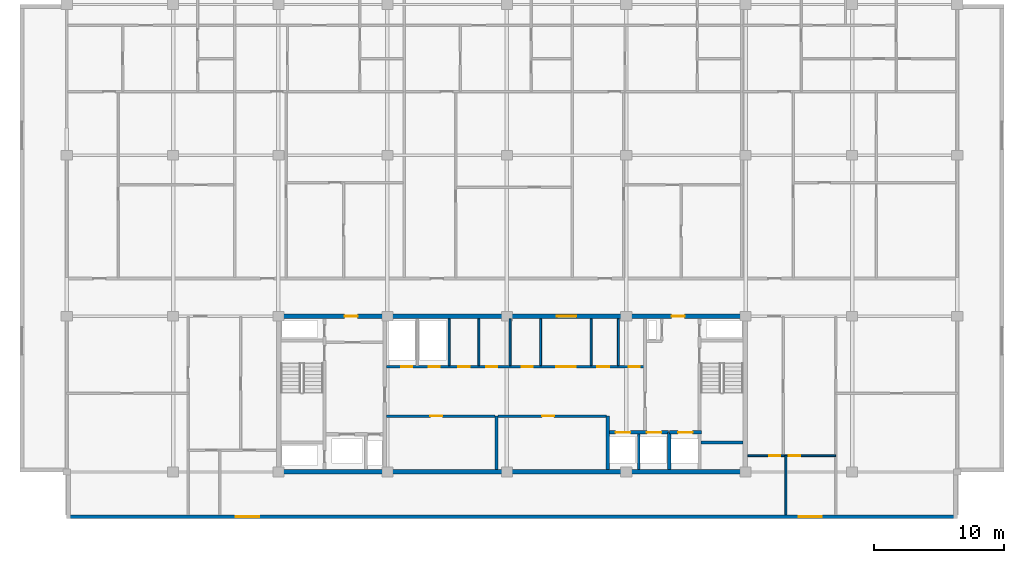
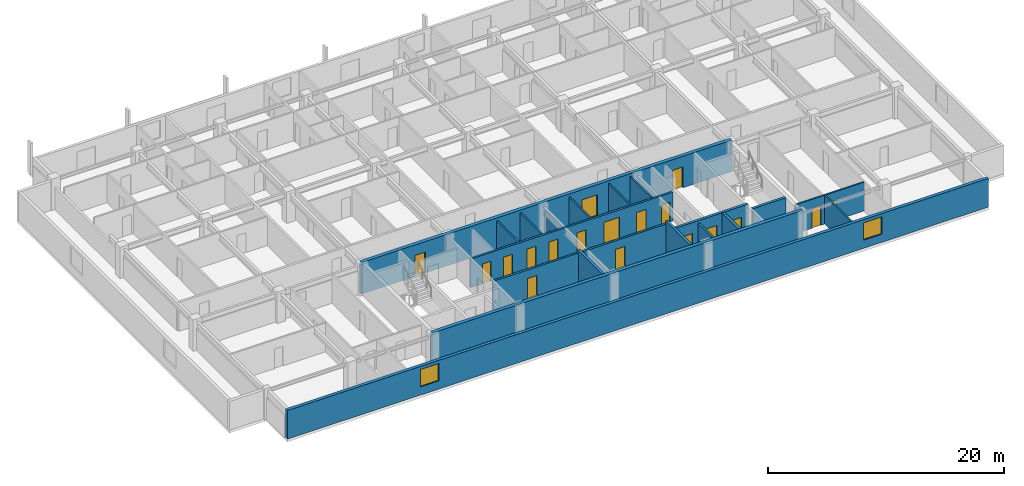
# One storey, part 5 of 11: 21 walls, 18 doors, 2 windows, 20 openings.
"""IFC4 building model written with IfcOpenShell, lengths in metres."""

import ifcopenshell
import ifcopenshell.guid

model = None  # the IFC model being written
_history = None  # IfcOwnerHistory: only IFC2X3 demands one
_inside = {}  # id of a spatial element -> (the spatial element, [elements in it])
_under = {}  # id of a project, library or spatial element -> (it, [spatial elements below it])
_declared = {}  # id of a project -> (the project, [libraries it declares])
_typed = {}  # id of a type object -> (the type object, [elements of that type])
_made_of = {}  # id of a material, layer set ... -> (it, [elements and type objects made of it])


def new_model(schema):
    """Start an empty IFC model of exactly this schema.

    Asked for "IFC4X3", IfcOpenShell would pick the latest addendum, in which some entities
    have other attributes; the version numbers below select the first issue.
    IFC2X3 requires an IfcOwnerHistory on every rooted entity: one is made here for all.
    """
    global model, _history
    if schema == "IFC4X3":
        model = ifcopenshell.file(schema_version=(4, 3, 0, 0))
    else:
        model = ifcopenshell.file(schema=schema)
    _inside.clear()
    _under.clear()
    _declared.clear()
    _typed.clear()
    _made_of.clear()
    _history = None
    if model.schema == "IFC2X3":
        org = make("IfcOrganization", Name="unknown")
        user = make(
            "IfcPersonAndOrganization",
            ThePerson=make("IfcPerson", FamilyName="unknown"),
            TheOrganization=org,
        )
        app = make(
            "IfcApplication",
            ApplicationDeveloper=org,
            Version="unknown",
            ApplicationFullName="unknown",
            ApplicationIdentifier="unknown",
        )
        _history = make(
            "IfcOwnerHistory",
            OwningUser=user,
            OwningApplication=app,
            ChangeAction="ADDED",
            CreationDate=0,
        )
    return model


def make(cls, **values):
    """One entity of the class cls with the attributes given. An attribute that is None is left unset."""
    return model.create_entity(
        cls, **{name: value for name, value in values.items() if value is not None}
    )


def rooted(cls, **values):
    """An entity with a GlobalId (a new one), such as an element, a storey or a relation."""
    return make(cls, GlobalId=ifcopenshell.guid.new(), OwnerHistory=_history, **values)


def si_unit(unit_type, name, prefix=None):
    """IfcSIUnit, for example si_unit("LENGTHUNIT", "METRE", prefix="MILLI")."""
    return make("IfcSIUnit", UnitType=unit_type, Prefix=prefix, Name=name)


def assignment(units):
    """IfcUnitAssignment: the units of a project."""
    return None if units is None else make("IfcUnitAssignment", Units=units)


def point(xyz):
    """IfcCartesianPoint."""
    return None if xyz is None else make("IfcCartesianPoint", Coordinates=xyz)


def direction(xyz):
    """IfcDirection."""
    return None if xyz is None else make("IfcDirection", DirectionRatios=xyz)


def frame(location, z_axis=None, x_axis=None):
    """IfcAxis2Placement3D, a coordinate frame: its origin and axes. An axis left out is left unset."""
    return make(
        "IfcAxis2Placement3D",
        Location=point(location),
        Axis=direction(z_axis),
        RefDirection=direction(x_axis),
    )


def frame_2d(location, x_axis=None):
    """IfcAxis2Placement2D, a coordinate frame in the plane: its origin and x axis."""
    return make(
        "IfcAxis2Placement2D", Location=point(location), RefDirection=direction(x_axis)
    )


def origin():
    """The frame at (0, 0, 0) with its axes left unset."""
    return frame((0.0, 0.0, 0.0))


def place(relative_to, where):
    """IfcLocalPlacement: puts the frame where relative to a parent placement (None: the world)."""
    return make(
        "IfcLocalPlacement", PlacementRelTo=relative_to, RelativePlacement=where
    )


def context(
    kind, dimensions, precision=None, world=None, true_north=None, identifier=None
):
    """IfcGeometricRepresentationContext, for example the 3D "Model" context."""
    return make(
        "IfcGeometricRepresentationContext",
        ContextIdentifier=identifier,
        ContextType=kind,
        CoordinateSpaceDimension=dimensions,
        Precision=precision,
        WorldCoordinateSystem=world,
        TrueNorth=true_north,
    )


def subcontext(parent, identifier, kind, view, scale=None):
    """IfcGeometricRepresentationSubContext, for example "Body" below "Model"."""
    return make(
        "IfcGeometricRepresentationSubContext",
        ContextIdentifier=identifier,
        ContextType=kind,
        ParentContext=parent,
        TargetScale=scale,
        TargetView=view,
    )


def project(units=None, contexts=None):
    """IfcProject with its units and contexts."""
    return rooted(
        "IfcProject",
        Name="project",
        RepresentationContexts=contexts,
        UnitsInContext=assignment(units),
    )


def spatial(cls, under=None, at=None, **own):
    """A site, building, storey or space (cls), placed at a placement, below another one or the project."""
    s = rooted(cls, ObjectPlacement=at, **own)
    if under is not None:
        _under.setdefault(under.id(), (under, []))[1].append(s)
    return s


def profile(cls, at=None, kind="AREA", **sizes):
    """A parametric profile (cls). Its sizes go by their IFC names, for example OverallWidth=200.0."""
    return make(cls, ProfileType=kind, Position=at, **sizes)


def rectangle(**sizes):
    """IfcRectangleProfileDef."""
    return profile("IfcRectangleProfileDef", **sizes)


def extrude(swept, where, along, depth):
    """IfcExtrudedAreaSolid: the profile swept, set in the frame where, extruded along a direction by depth."""
    return make(
        "IfcExtrudedAreaSolid",
        SweptArea=swept,
        Position=where,
        ExtrudedDirection=direction(along),
        Depth=depth,
    )


def shape(context_of_items, identifier, shape_type, items):
    """IfcShapeRepresentation: the items that make up one representation, for example the "Body"."""
    return make(
        "IfcShapeRepresentation",
        ContextOfItems=context_of_items,
        RepresentationIdentifier=identifier,
        RepresentationType=shape_type,
        Items=items,
    )


def material(Name=None, Category=None):
    """IfcMaterial."""
    return make("IfcMaterial", Name=Name, Category=Category)


def layer(
    of_material, thickness, ventilated=None, Name=None, Category=None, Priority=None
):
    """IfcMaterialLayer: one layer of a wall or slab, of a material (None: an air gap)."""
    return make(
        "IfcMaterialLayer",
        Material=of_material,
        LayerThickness=thickness,
        IsVentilated=ventilated,
        Name=Name,
        Category=Category,
        Priority=Priority,
    )


def layer_set(layers, Name=None):
    """IfcMaterialLayerSet."""
    return make("IfcMaterialLayerSet", MaterialLayers=layers, LayerSetName=Name)


def made_of(thing, what):
    """Note that an element or type object is made of a material, layer set ...; save() writes the relation."""
    if what is not None:
        _made_of.setdefault(what.id(), (what, []))[1].append(thing)
    return thing


def type_object(cls, material=None, **own):
    """A type object (cls), such as IfcWallType, which elements share."""
    return made_of(rooted(cls, **own), material)


def element(
    cls,
    number,
    at=None,
    inside=None,
    cuts=None,
    type_object=None,
    material=None,
    context=None,
    identifier="Body",
    shape_type=None,
    held_by="IfcProductDefinitionShape",
    body=None,
    shapes=None,
    **own,
):
    """One element of the class cls, such as IfcWall. Its Tag is "e" and its number.

    at: its placement. inside: the storey or other place that contains it. cuts: it is an
    opening in that element (IfcRelVoidsElement). A single representation is given by context,
    identifier, shape_type and body (its items); several are given by shapes. held_by: the class
    of the entity that holds the representations. save() writes the other relations.
    """
    e = rooted(cls, Tag="e%d" % number, ObjectPlacement=at, **own)
    if body is not None:
        shapes = [shape(context, identifier, shape_type, body)]
    if shapes is not None:
        e.Representation = make(held_by, Representations=shapes)
    if inside is not None:
        _inside.setdefault(inside.id(), (inside, []))[1].append(e)
    if cuts is not None:
        rooted(
            "IfcRelVoidsElement", RelatingBuildingElement=cuts, RelatedOpeningElement=e
        )
    if type_object is not None:
        _typed.setdefault(type_object.id(), (type_object, []))[1].append(e)
    return made_of(e, material)


def fill(opening, filler):
    """IfcRelFillsElement: the door or window that sits in an opening."""
    return rooted(
        "IfcRelFillsElement",
        RelatingOpeningElement=opening,
        RelatedBuildingElement=filler,
    )


def aggregate(whole, parts):
    """IfcRelAggregates: a whole, such as a stair, and the parts it consists of."""
    return rooted("IfcRelAggregates", RelatingObject=whole, RelatedObjects=parts)


def save(model, path):
    """Write the relations noted so far, then the file.

    IfcRelAggregates (storeys below a building ...), IfcRelContainedInSpatialStructure (elements
    in a storey), IfcRelDefinesByType, IfcRelAssociatesMaterial and IfcRelDeclares: one each for
    every whole, place, type object, material and project.
    """
    for whole, parts in _under.values():
        aggregate(whole, parts)
    for where, things in _inside.values():
        rooted(
            "IfcRelContainedInSpatialStructure",
            RelatedElements=things,
            RelatingStructure=where,
        )
    for kind, things in _typed.values():
        rooted("IfcRelDefinesByType", RelatedObjects=things, RelatingType=kind)
    for what, things in _made_of.values():
        rooted("IfcRelAssociatesMaterial", RelatedObjects=things, RelatingMaterial=what)
    for by, libraries in _declared.values():
        rooted("IfcRelDeclares", RelatingContext=by, RelatedDefinitions=libraries)
    model.write(path)


model = new_model("IFC4")

# Units and contexts
model_context = context("Model", 3, precision=1e-05, world=origin(), true_north=direction((0.0, 1.0)))
body_context = subcontext(model_context, "Body", "Model", "MODEL_VIEW")
ifc_project = project(units=[si_unit("LENGTHUNIT", "METRE"), si_unit("AREAUNIT", "SQUARE_METRE"), si_unit("VOLUMEUNIT", "CUBIC_METRE"), si_unit("PLANEANGLEUNIT", "RADIAN"), si_unit("MASSUNIT", "GRAM", prefix="KILO")], contexts=[model_context])

# Site, building, storey
site_placement = place(None, origin())
site = spatial("IfcSite", under=ifc_project, at=site_placement, CompositionType="ELEMENT")
building_placement = place(site_placement, origin())
building = spatial("IfcBuilding", under=site, at=building_placement, Name="Korimba Cascade Residences", CompositionType="ELEMENT")
storey_placement = place(building_placement, frame((0.0, 0.0, 210.85009765625)))
storey = spatial("IfcBuildingStorey", under=building, at=storey_placement, Name="L61", CompositionType="ELEMENT", Elevation=210.85009765625)

# Wall, openings, windows
ifc_material_1 = material(Name="Precast concrete C40/50", Category="concrete")
ifc_layer_1 = layer(ifc_material_1, 0.300048828125)
ifc_layer_set_1 = layer_set([ifc_layer_1], Name="Precast concrete C40/50")
wall_type_1 = type_object("IfcWallType", Name="EW-STONE-300", PredefinedType="STANDARD", material=ifc_layer_set_1)
wall_1_placement = place(storey_placement, frame((59.800048828125, 51.75, 0.0), z_axis=(0.0, 0.0, 1.0), x_axis=(1.0, 0.0, 0.0)))
wall_1 = element("IfcWall", 1, at=wall_1_placement, inside=storey, type_object=wall_type_1, Name="L61 T1 Perimeter Stone Wall E00", PredefinedType="STANDARD", context=body_context, shape_type="SweptSolid", body=[
    extrude(rectangle(XDim=68.599853515625, YDim=0.300048828125, at=frame_2d((34.2998046875, 0.0))), origin(), (0.0, 0.0, 1.0), 2.969970703125),
])
opening_1_placement = place(wall_1_placement, frame((13.02490234375, 0.0, 0.85009765625)))
opening_1 = element("IfcOpeningElement", 2, at=opening_1_placement, cuts=wall_1, Name="Opening W-02", PredefinedType="OPENING", context=body_context, shape_type="SweptSolid", body=[
    extrude(rectangle(XDim=1.800048828125, YDim=1.800048828125, at=frame_2d((0.89990234375, 0.89990234375))), frame((0.0, 0.16015625, 0.0), z_axis=(0.0, -1.0, 0.0), x_axis=(1.0, 0.0, 0.0)), (0.0, 0.0, 1.0), 0.320068359375),
])
opening_2_placement = place(wall_1_placement, frame((56.375, 0.0, 0.85009765625)))
opening_2 = element("IfcOpeningElement", 3, at=opening_2_placement, cuts=wall_1, Name="Opening W-02", PredefinedType="OPENING", context=body_context, shape_type="SweptSolid", body=[
    extrude(rectangle(XDim=1.800048828125, YDim=1.800048828125, at=frame_2d((0.89990234375, 0.89990234375))), frame((0.0, 0.16015625, 0.0), z_axis=(0.0, -1.0, 0.0), x_axis=(1.0, 0.0, 0.0)), (0.0, 0.0, 1.0), 0.320068359375),
])
ifc_material_2 = material(Name="Double-Glazed Aluminium Window", Category="aluminium")
window_type = type_object("IfcWindowType", Name="WIN-BED-1800", PartitioningType="SINGLE_PANEL", PredefinedType="WINDOW", material=ifc_material_2)
window_1_placement = place(opening_1_placement, origin())
window_1 = element("IfcWindow", 4, at=window_1_placement, inside=storey, type_object=window_type, Name="L61 T1 South Corner Bedroom Window 1", OverallHeight=1.800048828125, OverallWidth=1.800048828125, PartitioningType="SINGLE_PANEL", PredefinedType="WINDOW", context=body_context, shape_type="SweptSolid", body=[
    extrude(rectangle(XDim=1.800048828125, YDim=1.800048828125, at=frame_2d((0.89990234375, 0.89990234375))), frame((0.0, 0.030029296875, 0.0), z_axis=(0.0, -1.0, 0.0), x_axis=(1.0, 0.0, 0.0)), (0.0, 0.0, 1.0), 0.06005859375),
])
fill(opening_1, window_1)
window_2_placement = place(opening_2_placement, origin())
window_2 = element("IfcWindow", 5, at=window_2_placement, inside=storey, type_object=window_type, Name="L61 T1 South Corner Bedroom Window 2", OverallHeight=1.800048828125, OverallWidth=1.800048828125, PartitioningType="SINGLE_PANEL", PredefinedType="WINDOW", context=body_context, shape_type="SweptSolid", body=[
    extrude(rectangle(XDim=1.800048828125, YDim=1.800048828125, at=frame_2d((0.89990234375, 0.89990234375))), frame((0.0, 0.030029296875, 0.0), z_axis=(0.0, -1.0, 0.0), x_axis=(1.0, 0.0, 0.0)), (0.0, 0.0, 1.0), 0.06005859375),
])
fill(opening_2, window_2)

# Wall
ifc_material_3 = material(Name="Concrete C65/80", Category="concrete")
ifc_layer_2 = layer(ifc_material_3, 0.35009765625)
ifc_layer_set_2 = layer_set([ifc_layer_2], Name="Concrete C65/80")
wall_type_2 = type_object("IfcWallType", Name="WAL-CORE-350", PredefinedType="SHEAR", material=ifc_layer_set_2)
wall_2_placement = place(storey_placement, frame((75.949951171875, 55.199951171875, 0.0), z_axis=(0.0, 0.0, 1.0), x_axis=(1.0, 0.0, 0.0)))
element("IfcWall", 6, at=wall_2_placement, inside=storey, type_object=wall_type_2, Name="L61 Core Shear Wall CW-L61-T1-S", PredefinedType="SHEAR", context=body_context, shape_type="SweptSolid", body=[
    extrude(rectangle(XDim=36.300048828125, YDim=0.35009765625, at=frame_2d((18.14990234375, 0.0))), origin(), (0.0, 0.0, 1.0), 3.25),
])

# Wall, openings, doors
wall_3_placement = place(storey_placement, frame((75.949951171875, 67.199951171875, 0.0), z_axis=(0.0, 0.0, 1.0), x_axis=(1.0, 0.0, 0.0)))
wall_3 = element("IfcWall", 7, at=wall_3_placement, inside=storey, type_object=wall_type_2, Name="L61 Core Shear Wall CW-L61-T1-N", PredefinedType="SHEAR", context=body_context, shape_type="SweptSolid", body=[
    extrude(rectangle(XDim=36.300048828125, YDim=0.35009765625, at=frame_2d((18.14990234375, 0.0))), origin(), (0.0, 0.0, 1.0), 3.25),
])
opening_3_placement = place(wall_3_placement, frame((5.25, 0.0, 0.0)))
opening_3 = element("IfcOpeningElement", 8, at=opening_3_placement, cuts=wall_3, Name="Opening D-FD5", PredefinedType="OPENING", context=body_context, shape_type="SweptSolid", body=[
    extrude(rectangle(XDim=1.0, YDim=2.14990234375, at=frame_2d((0.5, 1.074951171875))), frame((0.0, 0.18505859375, 0.0), z_axis=(0.0, -1.0, 0.0), x_axis=(1.0, 0.0, 0.0)), (0.0, 0.0, 1.0), 0.3701171875),
])
opening_4_placement = place(wall_3_placement, frame((21.60009765625, 0.0, 0.0)))
opening_4 = element("IfcOpeningElement", 9, at=opening_4_placement, cuts=wall_3, Name="Opening D-FD8", PredefinedType="OPENING", context=body_context, shape_type="SweptSolid", body=[
    extrude(rectangle(XDim=1.5, YDim=2.199951171875, at=frame_2d((0.75, 1.10009765625))), frame((0.0, 0.18505859375, 0.0), z_axis=(0.0, -1.0, 0.0), x_axis=(1.0, 0.0, 0.0)), (0.0, 0.0, 1.0), 0.3701171875),
])
opening_5_placement = place(wall_3_placement, frame((30.449951171875, 0.0, 0.0)))
opening_5 = element("IfcOpeningElement", 10, at=opening_5_placement, cuts=wall_3, Name="Opening D-FD5", PredefinedType="OPENING", context=body_context, shape_type="SweptSolid", body=[
    extrude(rectangle(XDim=1.0, YDim=2.14990234375, at=frame_2d((0.5, 1.074951171875))), frame((0.0, 0.18505859375, 0.0), z_axis=(0.0, -1.0, 0.0), x_axis=(1.0, 0.0, 0.0)), (0.0, 0.0, 1.0), 0.3701171875),
])
ifc_material_4 = material(Name="Fire-Rated Acoustic Timber Vestibule Door", Category="wood")
door_type_1 = type_object("IfcDoorType", Name="DR-FD90-1000", OperationType="NOTDEFINED", PredefinedType="DOOR", material=ifc_material_4)
door_1_placement = place(opening_3_placement, origin())
door_1 = element("IfcDoor", 11, at=door_1_placement, inside=storey, type_object=door_type_1, Name="L61 T1 West Core Vestibule Fire Door", OperationType="SINGLE_SWING_LEFT", OverallHeight=2.14990234375, OverallWidth=1.0, PredefinedType="DOOR", context=body_context, shape_type="SweptSolid", body=[
    extrude(rectangle(XDim=1.0, YDim=2.14990234375, at=frame_2d((0.5, 1.074951171875))), frame((0.0, 0.02490234375, 0.0), z_axis=(0.0, -1.0, 0.0), x_axis=(1.0, 0.0, 0.0)), (0.0, 0.0, 1.0), 0.050048828125),
])
fill(opening_3, door_1)
door_2_placement = place(opening_5_placement, origin())
door_2 = element("IfcDoor", 12, at=door_2_placement, inside=storey, type_object=door_type_1, Name="L61 T1 East Firefighting Vestibule Fire Door", OperationType="SINGLE_SWING_RIGHT", OverallHeight=2.14990234375, OverallWidth=1.0, PredefinedType="DOOR", context=body_context, shape_type="SweptSolid", body=[
    extrude(rectangle(XDim=1.0, YDim=2.14990234375, at=frame_2d((0.5, 1.074951171875))), frame((0.0, 0.02490234375, 0.0), z_axis=(0.0, -1.0, 0.0), x_axis=(1.0, 0.0, 0.0)), (0.0, 0.0, 1.0), 0.050048828125),
])
fill(opening_5, door_2)
ifc_material_5 = material(Name="Fire-Rated Glazed Lift Lobby Double Door", Category="glass")
door_type_2 = type_object("IfcDoorType", Name="DR-FD90-1500", OperationType="NOTDEFINED", PredefinedType="DOOR", material=ifc_material_5)
door_3_placement = place(opening_4_placement, origin())
door_3 = element("IfcDoor", 13, at=door_3_placement, inside=storey, type_object=door_type_2, Name="L61 T1 Lift Lobby Fire Door", OperationType="DOUBLE_DOOR_SINGLE_SWING", OverallHeight=2.199951171875, OverallWidth=1.5, PredefinedType="DOOR", context=body_context, shape_type="SweptSolid", body=[
    extrude(rectangle(XDim=1.5, YDim=2.199951171875, at=frame_2d((0.75, 1.10009765625))), frame((0.0, 0.02490234375, 0.0), z_axis=(0.0, -1.0, 0.0), x_axis=(1.0, 0.0, 0.0)), (0.0, 0.0, 1.0), 0.050048828125),
])
fill(opening_4, door_3)

# Walls
ifc_material_6 = material(Name="Insulated Acoustic Stud Partition", Category="gypsum")
ifc_layer_3 = layer(ifc_material_6, 0.14990234375)
ifc_layer_set_3 = layer_set([ifc_layer_3], Name="Insulated Acoustic Stud Partition")
wall_type_3 = type_object("IfcWallType", Name="WAL-PART-150", PredefinedType="PARTITIONING", material=ifc_layer_set_3)
for number, where, z_axis, x_axis, name in (
    (14, (89.25, 63.39990234375, 0.0), (0.0, 0.0, 1.0), (0.0, 1.0, 0.0), "L61 Partition Wall CW-L61-T1-PRDIV"),
    (15, (91.550048828125, 63.39990234375, 0.0), (0.0, 0.0, 1.0), (0.0, 1.0, 0.0), "L61 Partition Wall CW-L61-T1-CA1W1"),
):
    element("IfcWall", number, at=place(storey_placement, frame(where, z_axis=z_axis, x_axis=x_axis)), inside=storey, type_object=wall_type_3, Name=name, PredefinedType="PARTITIONING", context=body_context, shape_type="SweptSolid", body=[
        extrude(rectangle(XDim=3.60009765625, YDim=0.14990234375, at=frame_2d((1.800048828125, 0.0))), origin(), (0.0, 0.0, 1.0), 2.969970703125),
    ])
wall_4_placement = place(storey_placement, frame((93.949951171875, 63.39990234375, 0.0), z_axis=(0.0, 0.0, 1.0), x_axis=(0.0, 1.0, 0.0)))
element("IfcWall", 16, at=wall_4_placement, inside=storey, type_object=wall_type_3, Name="L61 Partition Wall CW-L61-T1-CA1W2", PredefinedType="PARTITIONING", context=body_context, shape_type="SweptSolid", body=[
    extrude(rectangle(XDim=3.60009765625, YDim=0.14990234375, at=frame_2d((1.800048828125, 0.0))), origin(), (0.0, 0.0, 1.0), 2.277099609375),
])
for number, where, z_axis, x_axis, name in (
    (17, (102.300048828125, 63.39990234375, 0.0), (0.0, 0.0, 1.0), (0.0, 1.0, 0.0), "L61 Partition Wall CW-L61-T1-CA1E1"),
    (18, (96.300048828125, 63.39990234375, 0.0), (0.0, 0.0, 1.0), (0.0, 1.0, 0.0), "L61 Partition Wall CW-L61-T1-THW"),
    (19, (100.199951171875, 63.39990234375, 0.0), (0.0, 0.0, 1.0), (0.0, 1.0, 0.0), "L61 Partition Wall CW-L61-T1-THE"),
):
    element("IfcWall", number, at=place(storey_placement, frame(where, z_axis=z_axis, x_axis=x_axis)), inside=storey, type_object=wall_type_3, Name=name, PredefinedType="PARTITIONING", context=body_context, shape_type="SweptSolid", body=[
        extrude(rectangle(XDim=3.60009765625, YDim=0.14990234375, at=frame_2d((1.800048828125, 0.0))), origin(), (0.0, 0.0, 1.0), 2.969970703125),
    ])
wall_5_placement = place(storey_placement, frame((115.199951171875, 51.89990234375, 0.0), z_axis=(0.0, 0.0, 1.0), x_axis=(0.0, 1.0, 0.0)))
element("IfcWall", 20, at=wall_5_placement, inside=storey, type_object=wall_type_3, Name="L61 Partition Wall WAL-L61-T1-FE-VS", PredefinedType="PARTITIONING", context=body_context, shape_type="SweptSolid", body=[
    extrude(rectangle(XDim=4.550048828125, YDim=0.14990234375, at=frame_2d((2.27490234375, 0.0))), origin(), (0.0, 0.0, 1.0), 2.969970703125),
])

# Wall, openings, doors
wall_6_placement = place(storey_placement, frame((112.27001953125, 56.449951171875, 0.0), z_axis=(0.0, 0.0, 1.0), x_axis=(1.0, 0.0, 0.0)))
wall_6 = element("IfcWall", 21, at=wall_6_placement, inside=storey, type_object=wall_type_3, Name="L61 Partition Wall WAL-L61-T1-FE-H", PredefinedType="PARTITIONING", context=body_context, shape_type="SweptSolid", body=[
    extrude(rectangle(XDim=6.760009765625, YDim=0.14990234375, at=frame_2d((3.3798828125, 0.0))), origin(), (0.0, 0.0, 1.0), 2.969970703125),
])
opening_6_placement = place(wall_6_placement, frame((1.6396484375, 0.0, 0.0)))
opening_6 = element("IfcOpeningElement", 22, at=opening_6_placement, cuts=wall_6, Name="Opening D-BT1", PredefinedType="OPENING", context=body_context, shape_type="SweptSolid", body=[
    extrude(rectangle(XDim=0.840087890625, YDim=2.0400390625, at=frame_2d((0.419921875, 1.02001953125))), frame((0.0, 0.0849609375, 0.0), z_axis=(0.0, -1.0, 0.0), x_axis=(1.0, 0.0, 0.0)), (0.0, 0.0, 1.0), 0.169921875),
])
opening_7_placement = place(wall_6_placement, frame((3.160400390625, 0.0, 0.0)))
opening_7 = element("IfcOpeningElement", 23, at=opening_7_placement, cuts=wall_6, Name="Opening D-IN2", PredefinedType="OPENING", context=body_context, shape_type="SweptSolid", body=[
    extrude(rectangle(XDim=0.8798828125, YDim=2.06005859375, at=frame_2d((0.43994140625, 1.030029296875))), frame((0.0, 0.0849609375, 0.0), z_axis=(0.0, -1.0, 0.0), x_axis=(1.0, 0.0, 0.0)), (0.0, 0.0, 1.0), 0.169921875),
])
ifc_material_7 = material(Name="Moisture-Resistant Bathroom Timber Door", Category="wood")
door_type_3 = type_object("IfcDoorType", Name="DR-INT-850", OperationType="NOTDEFINED", PredefinedType="DOOR", material=ifc_material_7)
door_4_placement = place(opening_6_placement, origin())
door_4 = element("IfcDoor", 24, at=door_4_placement, inside=storey, type_object=door_type_3, Name="L61-T1-FE Bathroom Door", OperationType="SINGLE_SWING_LEFT", OverallHeight=2.0400390625, OverallWidth=0.840087890625, PredefinedType="DOOR", context=body_context, shape_type="SweptSolid", body=[
    extrude(rectangle(XDim=0.840087890625, YDim=2.0400390625, at=frame_2d((0.419921875, 1.02001953125))), frame((0.0, 0.02490234375, 0.0), z_axis=(0.0, -1.0, 0.0), x_axis=(1.0, 0.0, 0.0)), (0.0, 0.0, 1.0), 0.050048828125),
])
fill(opening_6, door_4)
ifc_material_8 = material(Name="Acoustic Timber Bedroom Door", Category="wood")
door_type_4 = type_object("IfcDoorType", Name="DR-INT-880", OperationType="NOTDEFINED", PredefinedType="DOOR", material=ifc_material_8)
door_5_placement = place(opening_7_placement, origin())
door_5 = element("IfcDoor", 25, at=door_5_placement, inside=storey, type_object=door_type_4, Name="L61-T1-FE Bedroom Door", OperationType="SINGLE_SWING_RIGHT", OverallHeight=2.06005859375, OverallWidth=0.8798828125, PredefinedType="DOOR", context=body_context, shape_type="SweptSolid", body=[
    extrude(rectangle(XDim=0.8798828125, YDim=2.06005859375, at=frame_2d((0.43994140625, 1.030029296875))), frame((0.0, 0.02490234375, 0.0), z_axis=(0.0, -1.0, 0.0), x_axis=(1.0, 0.0, 0.0)), (0.0, 0.0, 1.0), 0.050048828125),
])
fill(opening_7, door_5)

# Wall, opening, door
ifc_material_9 = material(Name="Concrete C40/50", Category="concrete")
ifc_layer_4 = layer(ifc_material_9, 0.199951171875)
ifc_layer_set_4 = layer_set([ifc_layer_4], Name="Concrete C40/50")
wall_type_4 = type_object("IfcWallType", Name="WAL-PART-200", PredefinedType="PARTITIONING", material=ifc_layer_set_4)
wall_7_placement = place(storey_placement, frame((84.419921875, 59.5, 0.0), z_axis=(0.0, 0.0, 1.0), x_axis=(1.0, 0.0, 0.0)))
wall_7 = element("IfcWall", 26, at=wall_7_placement, inside=storey, type_object=wall_type_4, Name="L61 Partition Wall CW-L61-T1-B1RN", PredefinedType="PARTITIONING", context=body_context, shape_type="SweptSolid", body=[
    extrude(rectangle(XDim=8.360107421875, YDim=0.199951171875, at=frame_2d((4.18017578125, 0.0))), origin(), (0.0, 0.0, 1.0), 2.969970703125),
])
opening_8_placement = place(wall_7_placement, frame((3.39990234375, 0.0, 0.0)))
opening_8 = element("IfcOpeningElement", 27, at=opening_8_placement, cuts=wall_7, Name="Opening D-ST1", PredefinedType="OPENING", context=body_context, shape_type="SweptSolid", body=[
    extrude(rectangle(XDim=0.919921875, YDim=2.080078125, at=frame_2d((0.4599609375, 1.0400390625))), frame((0.0, 0.10986328125, 0.0), z_axis=(0.0, -1.0, 0.0), x_axis=(1.0, 0.0, 0.0)), (0.0, 0.0, 1.0), 0.219970703125),
])
ifc_material_10 = material(Name="Fire-Rated Core Store Door", Category="wood")
door_type_5 = type_object("IfcDoorType", Name="DR-FD60-920", OperationType="NOTDEFINED", PredefinedType="DOOR", material=ifc_material_10)
door_6_placement = place(opening_8_placement, origin())
door_6 = element("IfcDoor", 28, at=door_6_placement, inside=storey, type_object=door_type_5, Name="L61 Resident Storage Door", OperationType="SINGLE_SWING_LEFT", OverallHeight=2.080078125, OverallWidth=0.919921875, PredefinedType="DOOR", context=body_context, shape_type="SweptSolid", body=[
    extrude(rectangle(XDim=0.919921875, YDim=2.080078125, at=frame_2d((0.4599609375, 1.0400390625))), frame((0.0, 0.02490234375, 0.0), z_axis=(0.0, -1.0, 0.0), x_axis=(1.0, 0.0, 0.0)), (0.0, 0.0, 1.0), 0.050048828125),
])
fill(opening_8, door_6)

wall_8_placement = place(storey_placement, frame((93.02001953125, 59.5, 0.0), z_axis=(0.0, 0.0, 1.0), x_axis=(1.0, 0.0, 0.0)))
wall_8 = element("IfcWall", 29, at=wall_8_placement, inside=storey, type_object=wall_type_4, Name="L61 Partition Wall CW-L61-T1-B2RN", PredefinedType="PARTITIONING", context=body_context, shape_type="SweptSolid", body=[
    extrude(rectangle(XDim=8.35986328125, YDim=0.199951171875, at=frame_2d((4.179931640625, 0.0))), origin(), (0.0, 0.0, 1.0), 2.969970703125),
])
opening_9_placement = place(wall_8_placement, frame((3.39990234375, 0.0, 0.0)))
opening_9 = element("IfcOpeningElement", 30, at=opening_9_placement, cuts=wall_8, Name="Opening D-ST1", PredefinedType="OPENING", context=body_context, shape_type="SweptSolid", body=[
    extrude(rectangle(XDim=0.919921875, YDim=2.080078125, at=frame_2d((0.4599609375, 1.0400390625))), frame((0.0, 0.10986328125, 0.0), z_axis=(0.0, -1.0, 0.0), x_axis=(1.0, 0.0, 0.0)), (0.0, 0.0, 1.0), 0.219970703125),
])
door_7_placement = place(opening_9_placement, origin())
door_7 = element("IfcDoor", 31, at=door_7_placement, inside=storey, type_object=door_type_5, Name="L61 Wine Cellar Store Door", OperationType="SINGLE_SWING_RIGHT", OverallHeight=2.080078125, OverallWidth=0.919921875, PredefinedType="DOOR", context=body_context, shape_type="SweptSolid", body=[
    extrude(rectangle(XDim=0.919921875, YDim=2.080078125, at=frame_2d((0.4599609375, 1.0400390625))), frame((0.0, 0.02490234375, 0.0), z_axis=(0.0, -1.0, 0.0), x_axis=(1.0, 0.0, 0.0)), (0.0, 0.0, 1.0), 0.050048828125),
])
fill(opening_9, door_7)

# Wall
wall_9_placement = place(storey_placement, frame((103.85009765625, 55.39990234375, 0.0), z_axis=(0.0, 0.0, 1.0), x_axis=(0.0, 1.0, 0.0)))
element("IfcWall", 32, at=wall_9_placement, inside=storey, type_object=wall_type_4, Name="L61 Partition Wall CW-L61-T1-B3D1", PredefinedType="PARTITIONING", context=body_context, shape_type="SweptSolid", body=[
    extrude(rectangle(XDim=2.72021484375, YDim=0.199951171875, at=frame_2d((1.360107421875, 0.0))), origin(), (0.0, 0.0, 1.0), 2.969970703125),
])

# Wall, openings, doors
wall_10_placement = place(storey_placement, frame((84.419921875, 63.300048828125, 0.0), z_axis=(0.0, 0.0, 1.0), x_axis=(1.0, 0.0, 0.0)))
wall_10 = element("IfcWall", 33, at=wall_10_placement, inside=storey, type_object=wall_type_4, Name="L61 Partition Wall CW-L61-T1-SRVROW", PredefinedType="PARTITIONING", context=body_context, shape_type="SweptSolid", body=[
    extrude(rectangle(XDim=19.830078125, YDim=0.199951171875, at=frame_2d((9.9150390625, 0.0))), origin(), (0.0, 0.0, 1.0), 2.969970703125),
])
opening_10_placement = place(wall_10_placement, frame((1.14990234375, 0.0, 0.0)))
opening_10 = element("IfcOpeningElement", 34, at=opening_10_placement, cuts=wall_10, Name="Opening D-RS1", PredefinedType="OPENING", context=body_context, shape_type="SweptSolid", body=[
    extrude(rectangle(XDim=0.85009765625, YDim=2.050048828125, at=frame_2d((0.425048828125, 1.02490234375))), frame((0.0, 0.10986328125, 0.0), z_axis=(0.0, -1.0, 0.0), x_axis=(1.0, 0.0, 0.0)), (0.0, 0.0, 1.0), 0.219970703125),
])
opening_11_placement = place(wall_10_placement, frame((3.25, 0.0, 0.0)))
opening_11 = element("IfcOpeningElement", 35, at=opening_11_placement, cuts=wall_10, Name="Opening D-RS1", PredefinedType="OPENING", context=body_context, shape_type="SweptSolid", body=[
    extrude(rectangle(XDim=0.85009765625, YDim=2.050048828125, at=frame_2d((0.425048828125, 1.02490234375))), frame((0.0, 0.10986328125, 0.0), z_axis=(0.0, -1.0, 0.0), x_axis=(1.0, 0.0, 0.0)), (0.0, 0.0, 1.0), 0.219970703125),
])
opening_12_placement = place(wall_10_placement, frame((13.080078125, 0.0, 0.0)))
opening_12 = element("IfcOpeningElement", 36, at=opening_12_placement, cuts=wall_10, Name="Opening D-FD8", PredefinedType="OPENING", context=body_context, shape_type="SweptSolid", body=[
    extrude(rectangle(XDim=1.5, YDim=2.199951171875, at=frame_2d((0.75, 1.10009765625))), frame((0.0, 0.10986328125, 0.0), z_axis=(0.0, -1.0, 0.0), x_axis=(1.0, 0.0, 0.0)), (0.0, 0.0, 1.0), 0.219970703125),
])
opening_13_placement = place(wall_10_placement, frame((5.530029296875, 0.0, 0.0)))
opening_13 = element("IfcOpeningElement", 37, at=opening_13_placement, cuts=wall_10, Name="Opening D-IN2", PredefinedType="OPENING", context=body_context, shape_type="SweptSolid", body=[
    extrude(rectangle(XDim=0.8798828125, YDim=2.06005859375, at=frame_2d((0.43994140625, 1.030029296875))), frame((0.0, 0.10986328125, 0.0), z_axis=(0.0, -1.0, 0.0), x_axis=(1.0, 0.0, 0.0)), (0.0, 0.0, 1.0), 0.219970703125),
])
opening_14_placement = place(wall_10_placement, frame((7.679931640625, 0.0, 0.0)))
opening_14 = element("IfcOpeningElement", 38, at=opening_14_placement, cuts=wall_10, Name="Opening D-IN2", PredefinedType="OPENING", context=body_context, shape_type="SweptSolid", body=[
    extrude(rectangle(XDim=0.8798828125, YDim=2.06005859375, at=frame_2d((0.43994140625, 1.030029296875))), frame((0.0, 0.10986328125, 0.0), z_axis=(0.0, -1.0, 0.0), x_axis=(1.0, 0.0, 0.0)), (0.0, 0.0, 1.0), 0.219970703125),
])
opening_15_placement = place(wall_10_placement, frame((10.429931640625, 0.0, 0.0)))
opening_15 = element("IfcOpeningElement", 39, at=opening_15_placement, cuts=wall_10, Name="Opening D-RS1", PredefinedType="OPENING", context=body_context, shape_type="SweptSolid", body=[
    extrude(rectangle(XDim=0.85009765625, YDim=2.050048828125, at=frame_2d((0.425048828125, 1.02490234375))), frame((0.0, 0.10986328125, 0.0), z_axis=(0.0, -1.0, 0.0), x_axis=(1.0, 0.0, 0.0)), (0.0, 0.0, 1.0), 0.219970703125),
])
opening_16_placement = place(wall_10_placement, frame((16.22998046875, 0.0, 0.0)))
opening_16 = element("IfcOpeningElement", 40, at=opening_16_placement, cuts=wall_10, Name="Opening D-AC1", PredefinedType="OPENING", context=body_context, shape_type="SweptSolid", body=[
    extrude(rectangle(XDim=0.9599609375, YDim=2.10009765625, at=frame_2d((0.47998046875, 1.050048828125))), frame((0.0, 0.10986328125, 0.0), z_axis=(0.0, -1.0, 0.0), x_axis=(1.0, 0.0, 0.0)), (0.0, 0.0, 1.0), 0.219970703125),
])
opening_17_placement = place(wall_10_placement, frame((18.679931640625, 0.0, 0.0)))
opening_17 = element("IfcOpeningElement", 41, at=opening_17_placement, cuts=wall_10, Name="Opening D-BT1", PredefinedType="OPENING", context=body_context, shape_type="SweptSolid", body=[
    extrude(rectangle(XDim=0.840087890625, YDim=2.0400390625, at=frame_2d((0.419921875, 1.02001953125))), frame((0.0, 0.10986328125, 0.0), z_axis=(0.0, -1.0, 0.0), x_axis=(1.0, 0.0, 0.0)), (0.0, 0.0, 1.0), 0.219970703125),
])
ifc_material_11 = material(Name="Accessible Acoustic Timber WC Door", Category="wood")
door_type_6 = type_object("IfcDoorType", Name="DR-ACC-950", OperationType="NOTDEFINED", PredefinedType="DOOR", material=ifc_material_11)
door_8_placement = place(opening_16_placement, origin())
door_8 = element("IfcDoor", 42, at=door_8_placement, inside=storey, type_object=door_type_6, Name="L61 Accessible Staff WC Door", OperationType="SINGLE_SWING_RIGHT", OverallHeight=2.10009765625, OverallWidth=0.9599609375, PredefinedType="DOOR", context=body_context, shape_type="SweptSolid", body=[
    extrude(rectangle(XDim=0.9599609375, YDim=2.10009765625, at=frame_2d((0.47998046875, 1.050048828125))), frame((0.0, 0.02490234375, 0.0), z_axis=(0.0, -1.0, 0.0), x_axis=(1.0, 0.0, 0.0)), (0.0, 0.0, 1.0), 0.050048828125),
])
fill(opening_16, door_8)
ifc_material_12 = material(Name="Fire-Rated Steel Riser Access Door", Category="steel")
door_type_7 = type_object("IfcDoorType", Name="DR-FD60-850", OperationType="NOTDEFINED", PredefinedType="DOOR", material=ifc_material_12)
door_9_placement = place(opening_10_placement, origin())
door_9 = element("IfcDoor", 43, at=door_9_placement, inside=storey, type_object=door_type_7, Name="L61 Electrical Riser Door", OperationType="SINGLE_SWING_LEFT", OverallHeight=2.050048828125, OverallWidth=0.85009765625, PredefinedType="DOOR", context=body_context, shape_type="SweptSolid", body=[
    extrude(rectangle(XDim=0.85009765625, YDim=2.050048828125, at=frame_2d((0.425048828125, 1.02490234375))), frame((0.0, 0.02490234375, 0.0), z_axis=(0.0, -1.0, 0.0), x_axis=(1.0, 0.0, 0.0)), (0.0, 0.0, 1.0), 0.050048828125),
])
fill(opening_10, door_9)
door_10_placement = place(opening_11_placement, origin())
door_10 = element("IfcDoor", 44, at=door_10_placement, inside=storey, type_object=door_type_7, Name="L61 Plumbing Riser Door", OperationType="SINGLE_SWING_RIGHT", OverallHeight=2.050048828125, OverallWidth=0.85009765625, PredefinedType="DOOR", context=body_context, shape_type="SweptSolid", body=[
    extrude(rectangle(XDim=0.85009765625, YDim=2.050048828125, at=frame_2d((0.425048828125, 1.02490234375))), frame((0.0, 0.02490234375, 0.0), z_axis=(0.0, -1.0, 0.0), x_axis=(1.0, 0.0, 0.0)), (0.0, 0.0, 1.0), 0.050048828125),
])
fill(opening_11, door_10)
door_11_placement = place(opening_15_placement, origin())
door_11 = element("IfcDoor", 45, at=door_11_placement, inside=storey, type_object=door_type_7, Name="L61 IT Room Door", OperationType="SINGLE_SWING_LEFT", OverallHeight=2.050048828125, OverallWidth=0.85009765625, PredefinedType="DOOR", context=body_context, shape_type="SweptSolid", body=[
    extrude(rectangle(XDim=0.85009765625, YDim=2.050048828125, at=frame_2d((0.425048828125, 1.02490234375))), frame((0.0, 0.02490234375, 0.0), z_axis=(0.0, -1.0, 0.0), x_axis=(1.0, 0.0, 0.0)), (0.0, 0.0, 1.0), 0.050048828125),
])
fill(opening_15, door_11)
door_12_placement = place(opening_12_placement, origin())
door_12 = element("IfcDoor", 46, at=door_12_placement, inside=storey, type_object=door_type_2, Name="L61 Lift Lobby Foyer Archway Door", OperationType="DOUBLE_DOOR_SINGLE_SWING", OverallHeight=2.199951171875, OverallWidth=1.5, PredefinedType="DOOR", context=body_context, shape_type="SweptSolid", body=[
    extrude(rectangle(XDim=1.5, YDim=2.199951171875, at=frame_2d((0.75, 1.10009765625))), frame((0.0, 0.02490234375, 0.0), z_axis=(0.0, -1.0, 0.0), x_axis=(1.0, 0.0, 0.0)), (0.0, 0.0, 1.0), 0.050048828125),
])
fill(opening_12, door_12)
door_13_placement = place(opening_17_placement, origin())
door_13 = element("IfcDoor", 47, at=door_13_placement, inside=storey, type_object=door_type_3, Name="L61 Vending Room Door", OperationType="SINGLE_SWING_LEFT", OverallHeight=2.0400390625, OverallWidth=0.840087890625, PredefinedType="DOOR", context=body_context, shape_type="SweptSolid", body=[
    extrude(rectangle(XDim=0.840087890625, YDim=2.0400390625, at=frame_2d((0.419921875, 1.02001953125))), frame((0.0, 0.02490234375, 0.0), z_axis=(0.0, -1.0, 0.0), x_axis=(1.0, 0.0, 0.0)), (0.0, 0.0, 1.0), 0.050048828125),
])
fill(opening_17, door_13)
door_14_placement = place(opening_13_placement, origin())
door_14 = element("IfcDoor", 48, at=door_14_placement, inside=storey, type_object=door_type_4, Name="L61 Cleaners Door", OperationType="SINGLE_SWING_LEFT", OverallHeight=2.06005859375, OverallWidth=0.8798828125, PredefinedType="DOOR", context=body_context, shape_type="SweptSolid", body=[
    extrude(rectangle(XDim=0.8798828125, YDim=2.06005859375, at=frame_2d((0.43994140625, 1.030029296875))), frame((0.0, 0.02490234375, 0.0), z_axis=(0.0, -1.0, 0.0), x_axis=(1.0, 0.0, 0.0)), (0.0, 0.0, 1.0), 0.050048828125),
])
fill(opening_13, door_14)
door_15_placement = place(opening_14_placement, origin())
door_15 = element("IfcDoor", 49, at=door_15_placement, inside=storey, type_object=door_type_4, Name="L61 Pantry Door", OperationType="SINGLE_SWING_RIGHT", OverallHeight=2.06005859375, OverallWidth=0.8798828125, PredefinedType="DOOR", context=body_context, shape_type="SweptSolid", body=[
    extrude(rectangle(XDim=0.8798828125, YDim=2.06005859375, at=frame_2d((0.43994140625, 1.030029296875))), frame((0.0, 0.02490234375, 0.0), z_axis=(0.0, -1.0, 0.0), x_axis=(1.0, 0.0, 0.0)), (0.0, 0.0, 1.0), 0.050048828125),
])
fill(opening_14, door_15)

# Walls
ifc_material_13 = material(Name="Concrete C50/60", Category="concrete")
ifc_layer_5 = layer(ifc_material_13, 0.25)
ifc_layer_set_5 = layer_set([ifc_layer_5], Name="Concrete C50/60")
wall_type_5 = type_object("IfcWallType", Name="WAL-SHAFT-250", PredefinedType="SHEAR", material=ifc_layer_set_5)
for number, where, z_axis, x_axis, name in (
    (50, (92.89990234375, 55.39990234375, 0.0), (0.0, 0.0, 1.0), (0.0, 1.0, 0.0), "L61 Core Shear Wall CW-L61-T1-B12DIV"),
    (51, (101.47998046875, 55.39990234375, 0.0), (0.0, 0.0, 1.0), (0.0, 1.0, 0.0), "L61 Core Shear Wall CW-L61-T1-B23DIV"),
):
    element("IfcWall", number, at=place(storey_placement, frame(where, z_axis=z_axis, x_axis=x_axis)), inside=storey, type_object=wall_type_5, Name=name, PredefinedType="SHEAR", context=body_context, shape_type="SweptSolid", body=[
        extrude(rectangle(XDim=4.10009765625, YDim=0.25, at=frame_2d((2.050048828125, 0.0))), origin(), (0.0, 0.0, 1.0), 3.25),
    ])

# Wall, openings, doors
wall_11_placement = place(storey_placement, frame((101.550048828125, 58.25, 0.0), z_axis=(0.0, 0.0, 1.0), x_axis=(1.0, 0.0, 0.0)))
wall_11 = element("IfcWall", 52, at=wall_11_placement, inside=storey, type_object=wall_type_5, Name="L61 Core Shear Wall CW-L61-T1-B3N", PredefinedType="SHEAR", context=body_context, shape_type="SweptSolid", body=[
    extrude(rectangle(XDim=4.599853515625, YDim=0.25, at=frame_2d((2.2998046875, 0.0))), origin(), (0.0, 0.0, 1.0), 3.25),
])
opening_18_placement = place(wall_11_placement, frame((0.5400390625, 0.0, 0.0)))
opening_18 = element("IfcOpeningElement", 53, at=opening_18_placement, cuts=wall_11, Name="Opening LD-01", PredefinedType="OPENING", context=body_context, shape_type="SweptSolid", body=[
    extrude(rectangle(XDim=1.1201171875, YDim=2.1201171875, at=frame_2d((0.56005859375, 1.06005859375))), frame((0.0, 0.135009765625, 0.0), z_axis=(0.0, -1.0, 0.0), x_axis=(1.0, 0.0, 0.0)), (0.0, 0.0, 1.0), 0.27001953125),
])
opening_19_placement = place(wall_11_placement, frame((2.93994140625, 0.0, 0.0)))
opening_19 = element("IfcOpeningElement", 54, at=opening_19_placement, cuts=wall_11, Name="Opening LD-01", PredefinedType="OPENING", context=body_context, shape_type="SweptSolid", body=[
    extrude(rectangle(XDim=1.1201171875, YDim=2.1201171875, at=frame_2d((0.56005859375, 1.06005859375))), frame((0.0, 0.135009765625, 0.0), z_axis=(0.0, -1.0, 0.0), x_axis=(1.0, 0.0, 0.0)), (0.0, 0.0, 1.0), 0.27001953125),
])
ifc_material_14 = material(Name="Stainless Steel Lift Landing Sliding Door", Category="steel")
door_type_8 = type_object("IfcDoorType", Name="DR-LIFT-1100", OperationType="NOTDEFINED", PredefinedType="DOOR", material=ifc_material_14)
door_16_placement = place(opening_18_placement, origin())
door_16 = element("IfcDoor", 55, at=door_16_placement, inside=storey, type_object=door_type_8, Name="L61 Lift Landing Door PL-W7", OperationType="SLIDING_TO_LEFT", OverallHeight=2.1201171875, OverallWidth=1.1201171875, PredefinedType="DOOR", context=body_context, shape_type="SweptSolid", body=[
    extrude(rectangle(XDim=1.1201171875, YDim=2.1201171875, at=frame_2d((0.56005859375, 1.06005859375))), frame((0.0, 0.02490234375, 0.0), z_axis=(0.0, -1.0, 0.0), x_axis=(1.0, 0.0, 0.0)), (0.0, 0.0, 1.0), 0.050048828125),
])
fill(opening_18, door_16)
door_17_placement = place(opening_19_placement, origin())
door_17 = element("IfcDoor", 56, at=door_17_placement, inside=storey, type_object=door_type_8, Name="L61 Lift Landing Door PL-W8", OperationType="SLIDING_TO_LEFT", OverallHeight=2.1201171875, OverallWidth=1.1201171875, PredefinedType="DOOR", context=body_context, shape_type="SweptSolid", body=[
    extrude(rectangle(XDim=1.1201171875, YDim=2.1201171875, at=frame_2d((0.56005859375, 1.06005859375))), frame((0.0, 0.02490234375, 0.0), z_axis=(0.0, -1.0, 0.0), x_axis=(1.0, 0.0, 0.0)), (0.0, 0.0, 1.0), 0.050048828125),
])
fill(opening_19, door_17)

# Wall
wall_12_placement = place(storey_placement, frame((106.219970703125, 55.39990234375, 0.0), z_axis=(0.0, 0.0, 1.0), x_axis=(0.0, 1.0, 0.0)))
element("IfcWall", 57, at=wall_12_placement, inside=storey, type_object=wall_type_5, Name="L61 Core Shear Wall CW-L61-T1-FF2W", PredefinedType="SHEAR", context=body_context, shape_type="SweptSolid", body=[
    extrude(rectangle(XDim=2.85009765625, YDim=0.25, at=frame_2d((1.425048828125, 0.0))), origin(), (0.0, 0.0, 1.0), 3.25),
])

# Wall, opening, door
wall_13_placement = place(storey_placement, frame((106.219970703125, 58.25, 0.0), z_axis=(0.0, 0.0, 1.0), x_axis=(1.0, 0.0, 0.0)))
wall_13 = element("IfcWall", 58, at=wall_13_placement, inside=storey, type_object=wall_type_5, Name="L61 Core Shear Wall CW-L61-T1-FF2N", PredefinedType="SHEAR", context=body_context, shape_type="SweptSolid", body=[
    extrude(rectangle(XDim=2.4599609375, YDim=0.25, at=frame_2d((1.22998046875, 0.0))), origin(), (0.0, 0.0, 1.0), 3.25),
])
opening_20_placement = place(wall_13_placement, frame((0.669921875, 0.0, 0.0)))
opening_20 = element("IfcOpeningElement", 59, at=opening_20_placement, cuts=wall_13, Name="Opening LD-01", PredefinedType="OPENING", context=body_context, shape_type="SweptSolid", body=[
    extrude(rectangle(XDim=1.1201171875, YDim=2.1201171875, at=frame_2d((0.56005859375, 1.06005859375))), frame((0.0, 0.135009765625, 0.0), z_axis=(0.0, -1.0, 0.0), x_axis=(1.0, 0.0, 0.0)), (0.0, 0.0, 1.0), 0.27001953125),
])
door_18_placement = place(opening_20_placement, origin())
door_18 = element("IfcDoor", 60, at=door_18_placement, inside=storey, type_object=door_type_8, Name="L61 Firefighting Lift Landing Door FFL-W2", OperationType="SLIDING_TO_RIGHT", OverallHeight=2.1201171875, OverallWidth=1.1201171875, PredefinedType="DOOR", context=body_context, shape_type="SweptSolid", body=[
    extrude(rectangle(XDim=1.1201171875, YDim=2.1201171875, at=frame_2d((0.56005859375, 1.06005859375))), frame((0.0, 0.02490234375, 0.0), z_axis=(0.0, -1.0, 0.0), x_axis=(1.0, 0.0, 0.0)), (0.0, 0.0, 1.0), 0.050048828125),
])
fill(opening_20, door_18)

# Wall
wall_14_placement = place(storey_placement, frame((108.659912109375, 57.47509765625, 0.0), z_axis=(0.0, 0.0, 1.0), x_axis=(1.0, 0.0, 0.0)))
element("IfcWall", 61, at=wall_14_placement, inside=storey, type_object=wall_type_5, Name="L61 Core Shear Wall CW-L61-T1-STW2S", PredefinedType="SHEAR", context=body_context, shape_type="SweptSolid", body=[
    extrude(rectangle(XDim=3.239990234375, YDim=0.25, at=frame_2d((1.6201171875, 0.0))), origin(), (0.0, 0.0, 1.0), 3.25),
])

save(model, "model.ifc")
